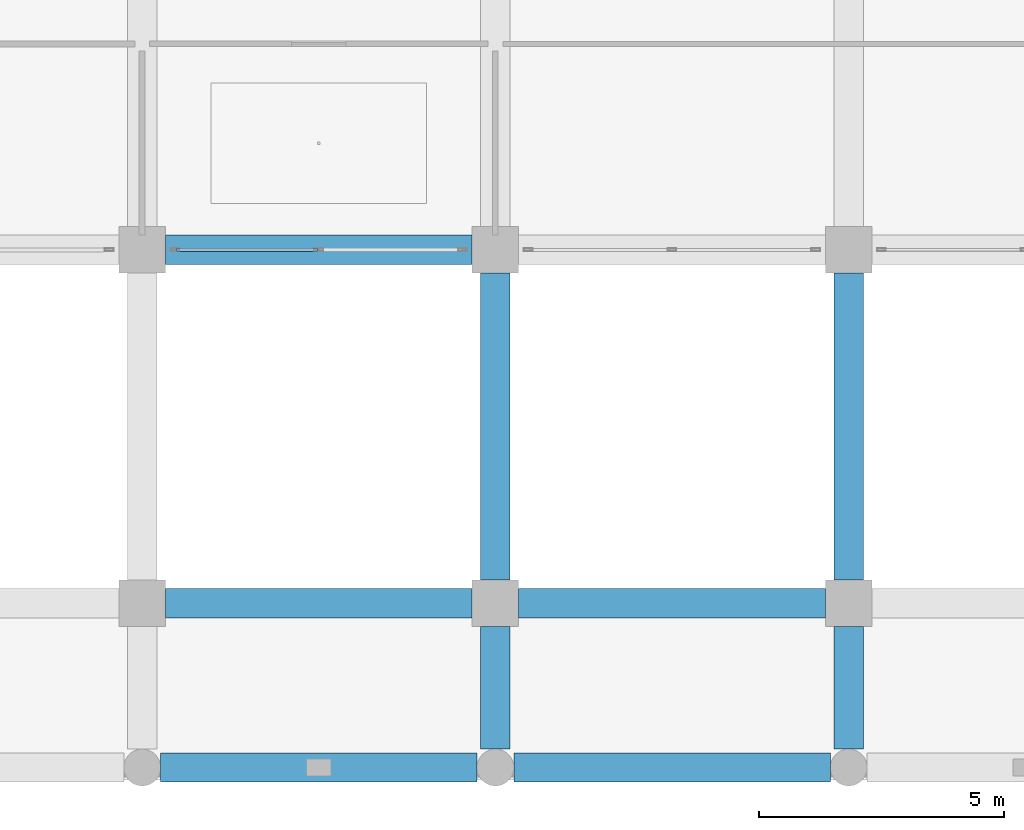
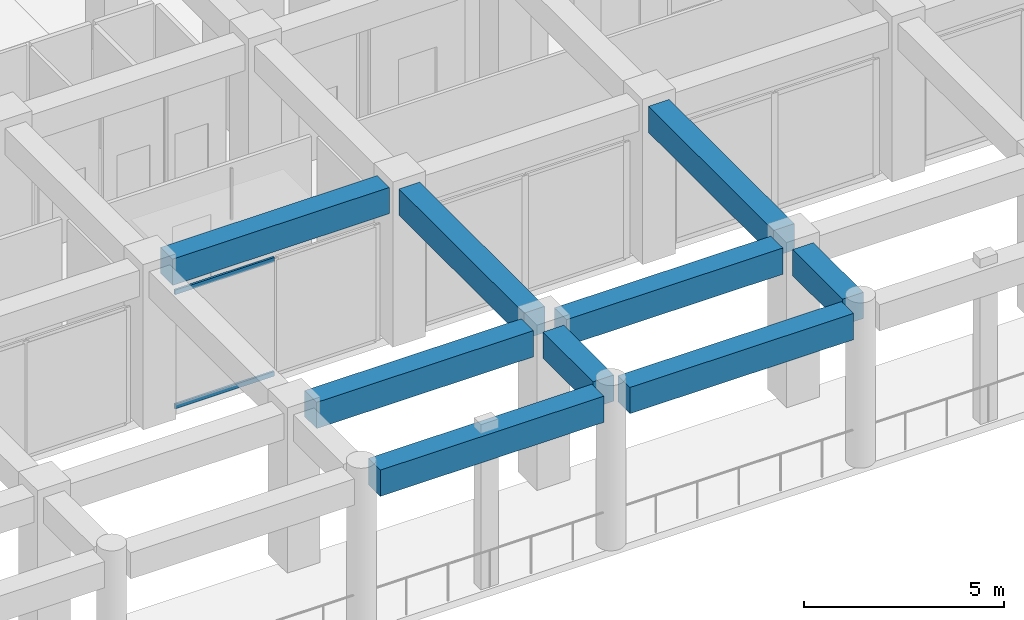
# One storey, part 12 of 54: 9 beams, 2 members, 1 element without a shape of its own.
"""IFC4 building model written with IfcOpenShell, lengths in metres."""

from ifc_helpers import new_model, si_unit, direction, frame, origin, origin_2d, place, context, subcontext, project, spatial, rectangle, hollow_rectangle, extrude, material, material_profile, profile_set, type_object, element, aggregate, save


model = new_model("IFC4")

# Units and contexts
model_context = context("Model", 3, precision=1e-05, world=origin(), true_north=direction((0.0, 1.0)))
body_context = subcontext(model_context, "Body", "Model", "MODEL_VIEW")
ifc_project = project(units=[si_unit("LENGTHUNIT", "METRE"), si_unit("AREAUNIT", "SQUARE_METRE"), si_unit("VOLUMEUNIT", "CUBIC_METRE"), si_unit("PLANEANGLEUNIT", "RADIAN"), si_unit("MASSUNIT", "GRAM", prefix="KILO")], contexts=[model_context])

# Site, building, storey
site_placement = place(None, origin())
site = spatial("IfcSite", under=ifc_project, at=site_placement, CompositionType="ELEMENT")
building_placement = place(site_placement, origin())
building = spatial("IfcBuilding", under=site, at=building_placement, Name="Kazehaya Institute of Natural Sciences", CompositionType="ELEMENT")
storey_placement = place(building_placement, frame((0.0, 0.0, 5.39990234375)))
storey = spatial("IfcBuildingStorey", under=building, at=storey_placement, Name="L01", CompositionType="ELEMENT", Elevation=5.39990234375)

# Beams
ifc_material_1 = material(Name="Concrete Fc36", Category="concrete")
ifc_material_profile_1 = material_profile(ifc_material_1, rectangle(XDim=0.60009765625, YDim=0.800048828125, at=origin_2d()), Name="RC-600x800")
ifc_profile_set_1 = profile_set([ifc_material_profile_1], Name="Concrete Fc36")
beam_type = type_object("IfcBeamType", Name="BM-G-600x800", PredefinedType="BEAM", material=ifc_profile_set_1)
beam_1_placement = place(storey_placement, frame((83.77490234375, 3.449951171875, 4.3701171875), z_axis=(1.0, 0.0, 0.0), x_axis=(0.0, 1.0, 0.0)))
element("IfcBeam", 1, at=beam_1_placement, inside=storey, type_object=beam_type, Name="L01 primary X girder BMX-L01-834-34", PredefinedType="BEAM", context=body_context, shape_type="SweptSolid", body=[
    extrude(rectangle(XDim=0.60009765625, YDim=0.800048828125, at=origin_2d()), origin(), (0.0, 0.0, 1.0), 6.4501953125),
])
beam_2_placement = place(storey_placement, frame((90.97509765625, 3.449951171875, 4.3701171875), z_axis=(1.0, 0.0, 0.0), x_axis=(0.0, 1.0, 0.0)))
element("IfcBeam", 2, at=beam_2_placement, inside=storey, type_object=beam_type, Name="L01 primary X girder BMX-L01-906-34", PredefinedType="BEAM", context=body_context, shape_type="SweptSolid", body=[
    extrude(rectangle(XDim=0.60009765625, YDim=0.800048828125, at=origin_2d()), origin(), (0.0, 0.0, 1.0), 6.449951171875),
])
for number, where, z_axis, x_axis, name in (
    (3, (83.875, 6.800048828125, 4.3701171875), (1.0, 0.0, 0.0), (0.0, 1.0, 0.0), "L01 primary X girder BMX-L01-834-68"),
    (4, (91.074951171875, 6.800048828125, 4.3701171875), (1.0, 0.0, 0.0), (0.0, 1.0, 0.0), "L01 primary X girder BMX-L01-906-68"),
    (5, (83.875, 14.0, 4.3701171875), (1.0, 0.0, 0.0), (0.0, 1.0, 0.0), "L01 primary X girder BMX-L01-834-140"),
):
    element("IfcBeam", number, at=place(storey_placement, frame(where, z_axis=z_axis, x_axis=x_axis)), inside=storey, type_object=beam_type, Name=name, PredefinedType="BEAM", context=body_context, shape_type="SweptSolid", body=[
        extrude(rectangle(XDim=0.60009765625, YDim=0.800048828125, at=origin_2d()), origin(), (0.0, 0.0, 1.0), 6.25),
    ])
beam_3_placement = place(storey_placement, frame((90.60009765625, 3.824951171875, 4.3701171875), z_axis=(0.0, 1.0, 0.0), x_axis=(-1.0, 0.0, 0.0)))
element("IfcBeam", 6, at=beam_3_placement, inside=storey, type_object=beam_type, Name="L01 primary Y girder BMY-L01-906-34", PredefinedType="BEAM", context=body_context, shape_type="SweptSolid", body=[
    extrude(rectangle(XDim=0.60009765625, YDim=0.800048828125, at=origin_2d()), origin(), (0.0, 0.0, 1.0), 2.5),
])
beam_4_placement = place(storey_placement, frame((90.60009765625, 7.27490234375, 4.3701171875), z_axis=(0.0, 1.0, 0.0), x_axis=(-1.0, 0.0, 0.0)))
element("IfcBeam", 7, at=beam_4_placement, inside=storey, type_object=beam_type, Name="L01 primary Y girder BMY-L01-906-68", PredefinedType="BEAM", context=body_context, shape_type="SweptSolid", body=[
    extrude(rectangle(XDim=0.60009765625, YDim=0.800048828125, at=origin_2d()), origin(), (0.0, 0.0, 1.0), 6.25),
])
beam_5_placement = place(storey_placement, frame((97.800048828125, 3.824951171875, 4.3701171875), z_axis=(0.0, 1.0, 0.0), x_axis=(-1.0, 0.0, 0.0)))
element("IfcBeam", 8, at=beam_5_placement, inside=storey, type_object=beam_type, Name="L01 primary Y girder BMY-L01-978-34", PredefinedType="BEAM", context=body_context, shape_type="SweptSolid", body=[
    extrude(rectangle(XDim=0.60009765625, YDim=0.800048828125, at=origin_2d()), origin(), (0.0, 0.0, 1.0), 2.5),
])
beam_6_placement = place(storey_placement, frame((97.800048828125, 7.27490234375, 4.3701171875), z_axis=(0.0, 1.0, 0.0), x_axis=(-1.0, 0.0, 0.0)))
element("IfcBeam", 9, at=beam_6_placement, inside=storey, type_object=beam_type, Name="L01 primary Y girder BMY-L01-978-68", PredefinedType="BEAM", context=body_context, shape_type="SweptSolid", body=[
    extrude(rectangle(XDim=0.60009765625, YDim=0.800048828125, at=origin_2d()), origin(), (0.0, 0.0, 1.0), 6.25),
])

# Curtain wall, members
ifc_material_2 = material(Name="Aluminium alloy A6063S-T5", Category="aluminium")
curtain_wall_type = type_object("IfcCurtainWallType", Name="CW-SYS-02", PredefinedType="NOTDEFINED", material=ifc_material_2)
curtain_wall_placement = place(storey_placement, origin())
curtain_wall = element("IfcCurtainWall", 10, at=curtain_wall_placement, inside=storey, type_object=curtain_wall_type, Name="L01 unitised curtain wall CW-L01-043", PredefinedType="NOTDEFINED")
ifc_material_profile_2 = material_profile(ifc_material_2, hollow_rectangle(XDim=0.06005859375, YDim=0.139892578125, WallThickness=0.00341796875, at=origin_2d()), Name="ALU-60x140x3.5")
ifc_profile_set_2 = profile_set([ifc_material_profile_2], Name="Aluminium alloy A6063S-T5")
member_type = type_object("IfcMemberType", Name="CWT-140", PredefinedType="USERDEFINED", material=ifc_profile_set_2)
member_1_placement = place(storey_placement, frame((86.969970703125, 14.0, 0.030029296875), z_axis=(-1.0, 0.0, 0.0), x_axis=(0.0, -1.0, 0.0)))
member_1 = element("IfcMember", 11, at=member_1_placement, type_object=member_type, Name="CW02 transom 2.1", ObjectType="TRANSOM", PredefinedType="USERDEFINED", context=body_context, shape_type="SweptSolid", body=[
    extrude(hollow_rectangle(XDim=0.06005859375, YDim=0.139892578125, WallThickness=0.00341796875, at=origin_2d()), origin(), (0.0, 0.0, 1.0), 2.869873046875),
])
member_2_placement = place(storey_placement, frame((86.969970703125, 14.0, 3.510009765625), z_axis=(-1.0, 0.0, 0.0), x_axis=(0.0, -1.0, 0.0)))
member_2 = element("IfcMember", 12, at=member_2_placement, type_object=member_type, Name="CW02 transom 2.2", ObjectType="TRANSOM", PredefinedType="USERDEFINED", context=body_context, shape_type="SweptSolid", body=[
    extrude(hollow_rectangle(XDim=0.06005859375, YDim=0.139892578125, WallThickness=0.00341796875, at=origin_2d()), origin(), (0.0, 0.0, 1.0), 2.869873046875),
])
aggregate(curtain_wall, [member_1, member_2])

save(model, "model.ifc")
